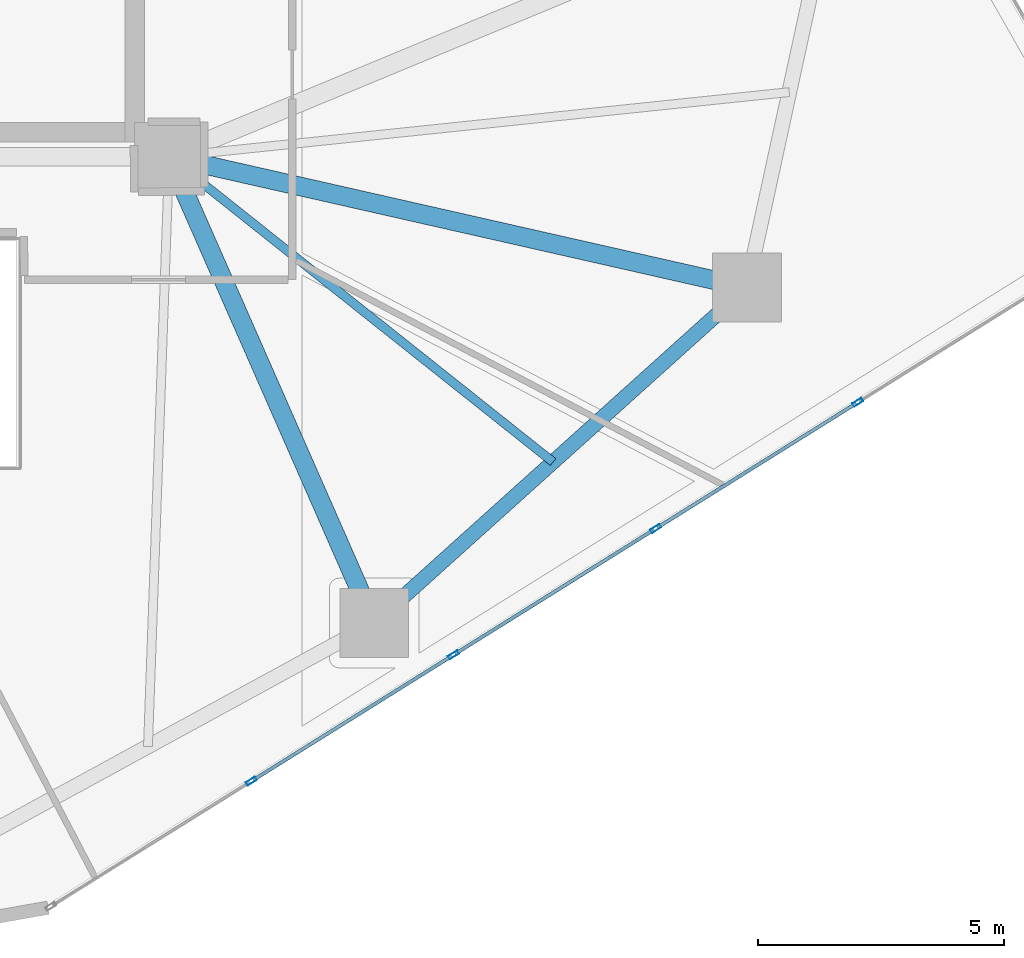
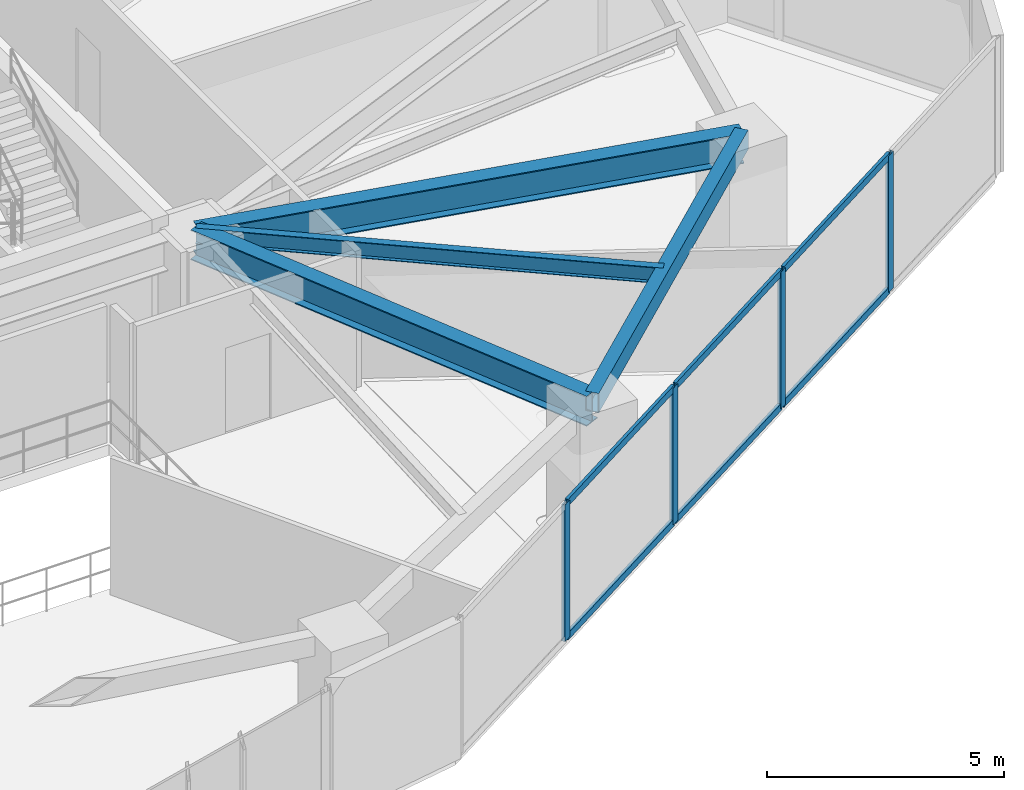
# One storey, part 9 of 22: 10 members, 4 beams, 1 element without a shape of its own.
"""IFC4 building model written with IfcOpenShell, lengths in metres."""

from ifc_helpers import new_model, si_unit, direction, frame, origin, origin_2d, place, context, subcontext, project, spatial, hollow_rectangle, i_section, extrude, source, transform, mapped, material, layer, layer_set, material_profile, profile_set, type_object, type_shapes, element, aggregate, save


model = new_model("IFC4")

# Units and contexts
model_context = context("Model", 3, precision=1e-05, world=origin(), true_north=direction((0.0, 1.0)))
body_context = subcontext(model_context, "Body", "Model", "MODEL_VIEW")
ifc_project = project(units=[si_unit("LENGTHUNIT", "METRE"), si_unit("AREAUNIT", "SQUARE_METRE"), si_unit("VOLUMEUNIT", "CUBIC_METRE"), si_unit("PLANEANGLEUNIT", "RADIAN"), si_unit("MASSUNIT", "GRAM", prefix="KILO")], contexts=[model_context])

# Site, building, storey
site_placement = place(None, origin())
site = spatial("IfcSite", under=ifc_project, at=site_placement, CompositionType="ELEMENT")
building_placement = place(site_placement, origin())
building = spatial("IfcBuilding", under=site, at=building_placement, Name="Talar Marvaseh", CompositionType="ELEMENT")
storey_placement = place(building_placement, frame((0.0, 0.0, 54.39990234375)))
storey = spatial("IfcBuildingStorey", under=building, at=storey_placement, Name="L13", CompositionType="ELEMENT", Elevation=54.39990234375)

# Beams
ifc_material_1 = material(Name="Steel S355", Category="steel")
ifc_material_profile_1 = material_profile(ifc_material_1, hollow_rectangle(XDim=0.300048828125, YDim=0.5, WallThickness=0.02001953125, at=origin_2d()), Name="RHS500x300x20")
ifc_profile_set_1 = profile_set([ifc_material_profile_1], Name="Steel S355")
beam_type_1 = type_object("IfcBeamType", Name="Zone 1 Perimeter Spandrel Beam RHS500x300x20", PredefinedType="SPANDREL", material=ifc_profile_set_1)
beam_1_placement = place(storey_placement, frame((45.0439453125, 22.840087890625, 3.27001953125), z_axis=(-0.743257224494, -0.669005753516, 0.0), x_axis=(0.669005753516, -0.743257224494, 0.0)))
element("IfcBeam", 1, at=beam_1_placement, inside=storey, type_object=beam_type_1, Name="L13 Zone 1 Perimeter Spandrel Beam RHS500x300x20", PredefinedType="SPANDREL", context=body_context, shape_type="SweptSolid", body=[
    extrude(hollow_rectangle(XDim=0.300048828125, YDim=0.5, WallThickness=0.02001953125, at=origin_2d()), origin(), (0.0, 0.0, 1.0), 10.19287109375),
])
ifc_material_profile_2 = material_profile(ifc_material_1, i_section(OverallWidth=0.381103515625, OverallDepth=0.77294921875, WebThickness=0.0166015625, FlangeThickness=0.027099609375, at=origin_2d()), Name="W760x257")
ifc_profile_set_2 = profile_set([ifc_material_profile_2], Name="Steel S355")
beam_type_2 = type_object("IfcBeamType", Name="Zone 1 Radial Floor Girder W760x257", PredefinedType="BEAM", material=ifc_profile_set_2)
beam_2_placement = place(storey_placement, frame((45.0439453125, 22.840087890625, 3.133544921875), z_axis=(-0.975296900374, 0.220898067263, 0.0), x_axis=(-0.220898067263, -0.975296900374, 0.0)))
element("IfcBeam", 2, at=beam_2_placement, inside=storey, type_object=beam_type_2, Name="L13 Zone 1 Radial Floor Girder W760x257", PredefinedType="BEAM", context=body_context, shape_type="SweptSolid", body=[
    extrude(i_section(OverallWidth=0.381103515625, OverallDepth=0.77294921875, WebThickness=0.0166015625, FlangeThickness=0.027099609375, at=origin_2d()), origin(), (0.0, 0.0, 1.0), 12.041259765625),
])
beam_3_placement = place(storey_placement, frame((37.468017578125, 16.02099609375, 3.133544921875), z_axis=(-0.402512625991, 0.915414433969, 0.0), x_axis=(-0.915414433969, -0.402512625991, 0.0)))
element("IfcBeam", 3, at=beam_3_placement, inside=storey, type_object=beam_type_2, Name="L13 Zone 1 Radial Floor Girder W760x257", PredefinedType="BEAM", context=body_context, shape_type="SweptSolid", body=[
    extrude(i_section(OverallWidth=0.381103515625, OverallDepth=0.77294921875, WebThickness=0.0166015625, FlangeThickness=0.027099609375, at=origin_2d()), origin(), (0.0, 0.0, 1.0), 10.35498046875),
])
ifc_material_profile_3 = material_profile(ifc_material_1, i_section(OverallWidth=0.179931640625, OverallDepth=0.4130859375, WebThickness=0.009765625, FlangeThickness=0.01611328125, at=origin_2d()), Name="W410x75")
ifc_profile_set_3 = profile_set([ifc_material_profile_3], Name="Steel S355")
beam_type_3 = type_object("IfcBeamType", Name="Zone 1 Secondary Floor Joist W410x75", PredefinedType="JOIST", material=ifc_profile_set_3)
beam_4_placement = place(storey_placement, frame((41.1044921875, 19.294189453125, 3.3134765625), z_axis=(-0.782711925261, 0.622384159546, 0.0), x_axis=(-0.622384159546, -0.782711925261, 0.0)))
element("IfcBeam", 4, at=beam_4_placement, inside=storey, type_object=beam_type_3, Name="L13 Zone 1 Secondary Floor Joist W410x75", PredefinedType="JOIST", context=body_context, shape_type="SweptSolid", body=[
    extrude(i_section(OverallWidth=0.179931640625, OverallDepth=0.4130859375, WebThickness=0.009765625, FlangeThickness=0.01611328125, at=origin_2d()), origin(), (0.0, 0.0, 1.0), 9.970947265625),
])

# Curtain wall, members
ifc_material_2 = material(Name="Architectural Aluminium", Category="aluminium")
ifc_layer = layer(ifc_material_2, 0.219970703125)
ifc_layer_set = layer_set([ifc_layer], Name="Architectural Aluminium")
curtain_wall_type = type_object("IfcCurtainWallType", Name="Unitised Low-E Museum Curtain Wall Z1", PredefinedType="NOTDEFINED", material=ifc_layer_set)
curtain_wall_placement = place(storey_placement, origin())
curtain_wall = element("IfcCurtainWall", 5, at=curtain_wall_placement, inside=storey, type_object=curtain_wall_type, Name="L13 Unitised Low-E Museum Curtain Wall Z1", PredefinedType="NOTDEFINED")
ifc_material_profile_4 = material_profile(ifc_material_2, hollow_rectangle(XDim=0.080078125, YDim=0.219970703125, WallThickness=0.0048828125, at=origin_2d()), Name="RHS220x80x5")
ifc_profile_set_4 = profile_set([ifc_material_profile_4], Name="Architectural Aluminium")
member_type_1 = type_object("IfcMemberType", Name="Unitised Curtain Wall Heavy Mullion RHS220x80x5", PredefinedType="MULLION", material=ifc_profile_set_4)
shared_shape_1 = source(origin(), body_context, "Body", "SweptSolid", [
    extrude(hollow_rectangle(XDim=0.080078125, YDim=0.219970703125, WallThickness=0.0048828125, at=origin_2d()), origin(), (0.0, 0.0, 1.0), 3.52001953125),
])
type_shapes(member_type_1, [shared_shape_1])
member_1_placement = place(storey_placement, frame((47.29931640625, 20.50830078125, 0.0), z_axis=(0.0, 0.0, 1.0), x_axis=(0.529787438005, -0.848130456081, 0.0)))
member_1 = element("IfcMember", 6, at=member_1_placement, type_object=member_type_1, Name="CW-Z1 mullion 2", PredefinedType="MULLION", context=body_context, shape_type="MappedRepresentation", body=[
    mapped(shared_shape_1, transform((0.0, 0.0, 0.0), x_axis=(1.0, 0.0, 0.0), y_axis=(0.0, 1.0, 0.0), z_axis=(0.0, 0.0, 1.0), scale=1.0)),
])
member_2_placement = place(storey_placement, frame((43.18994140625, 17.94140625, 0.0), z_axis=(0.0, 0.0, 1.0), x_axis=(0.529787438005, -0.848130456081, 0.0)))
member_2 = element("IfcMember", 7, at=member_2_placement, type_object=member_type_1, Name="CW-Z1 mullion 3", PredefinedType="MULLION", context=body_context, shape_type="MappedRepresentation", body=[
    mapped(shared_shape_1, transform((0.0, 0.0, 0.0), x_axis=(1.0, 0.0, 0.0), y_axis=(0.0, 1.0, 0.0), z_axis=(0.0, 0.0, 1.0), scale=1.0)),
])
member_3_placement = place(storey_placement, frame((39.080322265625, 15.374267578125, 0.0), z_axis=(0.0, 0.0, 1.0), x_axis=(0.529787438005, -0.848130456081, 0.0)))
member_3 = element("IfcMember", 8, at=member_3_placement, type_object=member_type_1, Name="CW-Z1 mullion 4", PredefinedType="MULLION", context=body_context, shape_type="MappedRepresentation", body=[
    mapped(shared_shape_1, transform((0.0, 0.0, 0.0), x_axis=(1.0, 0.0, 0.0), y_axis=(0.0, 1.0, 0.0), z_axis=(0.0, 0.0, 1.0), scale=1.0)),
])
member_4_placement = place(storey_placement, frame((34.970947265625, 12.807373046875, 0.0), z_axis=(0.0, 0.0, 1.0), x_axis=(0.529787438005, -0.848130456081, 0.0)))
member_4 = element("IfcMember", 9, at=member_4_placement, type_object=member_type_1, Name="CW-Z1 mullion 5", PredefinedType="MULLION", context=body_context, shape_type="MappedRepresentation", body=[
    mapped(shared_shape_1, transform((0.0, 0.0, 0.0), x_axis=(1.0, 0.0, 0.0), y_axis=(0.0, 1.0, 0.0), z_axis=(0.0, 0.0, 1.0), scale=1.0)),
])
ifc_material_profile_5 = material_profile(ifc_material_2, hollow_rectangle(XDim=0.074951171875, YDim=0.179931640625, WallThickness=0.0048828125, at=origin_2d()), Name="RHS180x75x5")
ifc_profile_set_5 = profile_set([ifc_material_profile_5], Name="Architectural Aluminium")
member_type_2 = type_object("IfcMemberType", Name="Unitised Curtain Wall Transom RHS180x75x5", PredefinedType="USERDEFINED", material=ifc_profile_set_5)
shared_shape_2 = source(origin(), body_context, "Body", "SweptSolid", [
    extrude(hollow_rectangle(XDim=0.074951171875, YDim=0.179931640625, WallThickness=0.0048828125, at=origin_2d()), origin(), (0.0, 0.0, 1.0), 4.765380859375),
])
member_5_placement = place(storey_placement, frame((43.156005859375, 17.920166015625, 0.03759765625), z_axis=(-0.848133549942, -0.529782485047, 0.0), x_axis=(0.529782485047, -0.848133549942, 0.0)))
member_5 = element("IfcMember", 10, at=member_5_placement, type_object=member_type_2, Name="CW-Z1 transom 3.1", ObjectType="TRANSOM", PredefinedType="USERDEFINED", context=body_context, shape_type="MappedRepresentation", body=[
    mapped(shared_shape_2, transform((0.0, 0.0, 0.0), x_axis=(1.0, 0.0, 0.0), y_axis=(0.0, 1.0, 0.0), z_axis=(0.0, 0.0, 1.0), scale=1.0)),
])
member_6_placement = place(storey_placement, frame((43.156005859375, 17.920166015625, 3.482666015625), z_axis=(-0.848133549942, -0.529782485047, 0.0), x_axis=(0.529782485047, -0.848133549942, 0.0)))
member_6 = element("IfcMember", 11, at=member_6_placement, type_object=member_type_2, Name="CW-Z1 transom 3.2", ObjectType="TRANSOM", PredefinedType="USERDEFINED", context=body_context, shape_type="MappedRepresentation", body=[
    mapped(shared_shape_2, transform((0.0, 0.0, 0.0), x_axis=(1.0, 0.0, 0.0), y_axis=(0.0, 1.0, 0.0), z_axis=(0.0, 0.0, 1.0), scale=1.0)),
])
shared_shape_3 = source(origin(), body_context, "Body", "SweptSolid", [
    extrude(hollow_rectangle(XDim=0.074951171875, YDim=0.179931640625, WallThickness=0.0048828125, at=origin_2d()), origin(), (0.0, 0.0, 1.0), 4.76513671875),
])
type_shapes(member_type_2, [shared_shape_2, shared_shape_3])
member_7_placement = place(storey_placement, frame((47.265380859375, 20.487060546875, 0.03759765625), z_axis=(-0.848119169953, -0.529805505406, 0.0), x_axis=(0.529805505406, -0.848119169953, 0.0)))
member_7 = element("IfcMember", 12, at=member_7_placement, type_object=member_type_2, Name="CW-Z1 transom 2.1", ObjectType="TRANSOM", PredefinedType="USERDEFINED", context=body_context, shape_type="MappedRepresentation", body=[
    mapped(shared_shape_3, transform((0.0, 0.0, 0.0), x_axis=(1.0, 0.0, 0.0), y_axis=(0.0, 1.0, 0.0), z_axis=(0.0, 0.0, 1.0), scale=1.0)),
])
member_8_placement = place(storey_placement, frame((47.265380859375, 20.487060546875, 3.482666015625), z_axis=(-0.848119169953, -0.529805505406, 0.0), x_axis=(0.529805505406, -0.848119169953, 0.0)))
member_8 = element("IfcMember", 13, at=member_8_placement, type_object=member_type_2, Name="CW-Z1 transom 2.2", ObjectType="TRANSOM", PredefinedType="USERDEFINED", context=body_context, shape_type="MappedRepresentation", body=[
    mapped(shared_shape_3, transform((0.0, 0.0, 0.0), x_axis=(1.0, 0.0, 0.0), y_axis=(0.0, 1.0, 0.0), z_axis=(0.0, 0.0, 1.0), scale=1.0)),
])
member_9_placement = place(storey_placement, frame((39.04638671875, 15.35302734375, 0.03759765625), z_axis=(-0.848142190941, -0.529768651343, 0.0), x_axis=(0.529768651343, -0.848142190941, 0.0)))
member_9 = element("IfcMember", 14, at=member_9_placement, type_object=member_type_2, Name="CW-Z1 transom 4.1", ObjectType="TRANSOM", PredefinedType="USERDEFINED", context=body_context, shape_type="MappedRepresentation", body=[
    mapped(shared_shape_3, transform((0.0, 0.0, 0.0), x_axis=(1.0, 0.0, 0.0), y_axis=(0.0, 1.0, 0.0), z_axis=(0.0, 0.0, 1.0), scale=1.0)),
])
member_10_placement = place(storey_placement, frame((39.04638671875, 15.35302734375, 3.482666015625), z_axis=(-0.848142190941, -0.529768651343, 0.0), x_axis=(0.529768651343, -0.848142190941, 0.0)))
member_10 = element("IfcMember", 15, at=member_10_placement, type_object=member_type_2, Name="CW-Z1 transom 4.2", ObjectType="TRANSOM", PredefinedType="USERDEFINED", context=body_context, shape_type="MappedRepresentation", body=[
    mapped(shared_shape_3, transform((0.0, 0.0, 0.0), x_axis=(1.0, 0.0, 0.0), y_axis=(0.0, 1.0, 0.0), z_axis=(0.0, 0.0, 1.0), scale=1.0)),
])
aggregate(curtain_wall, [member_1, member_2, member_3, member_4, member_7, member_8, member_5, member_6, member_9, member_10])

save(model, "model.ifc")
